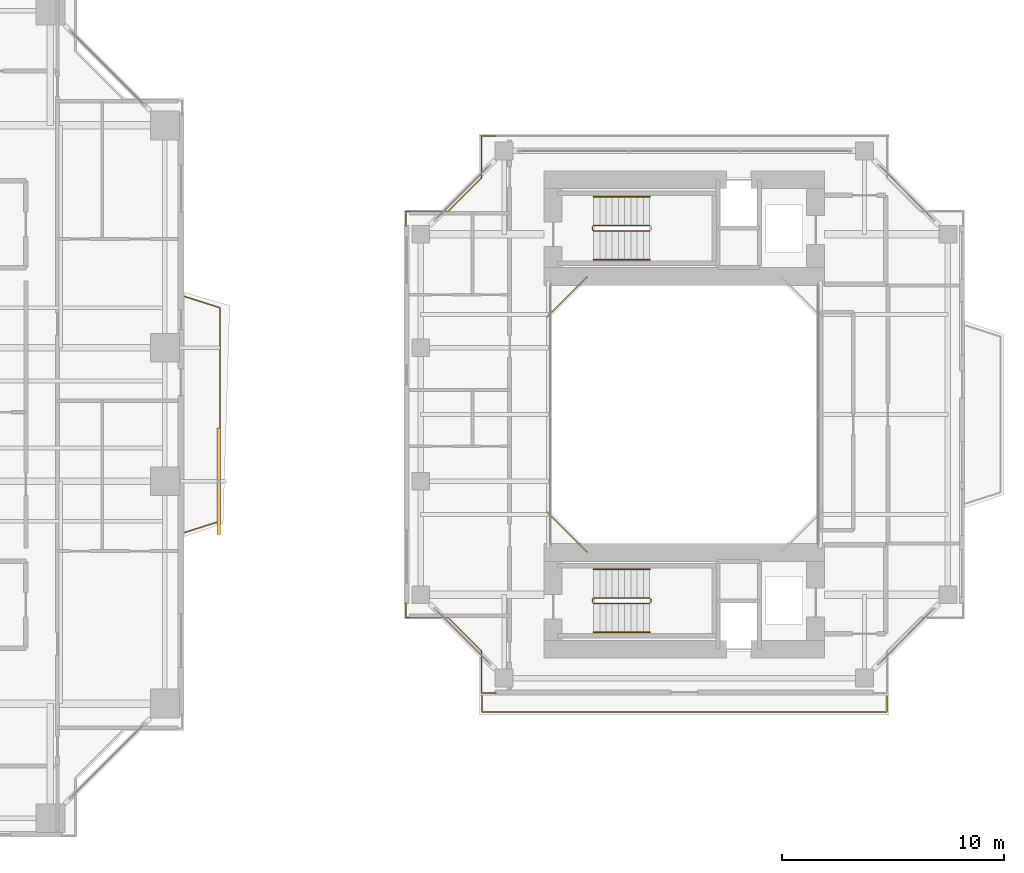
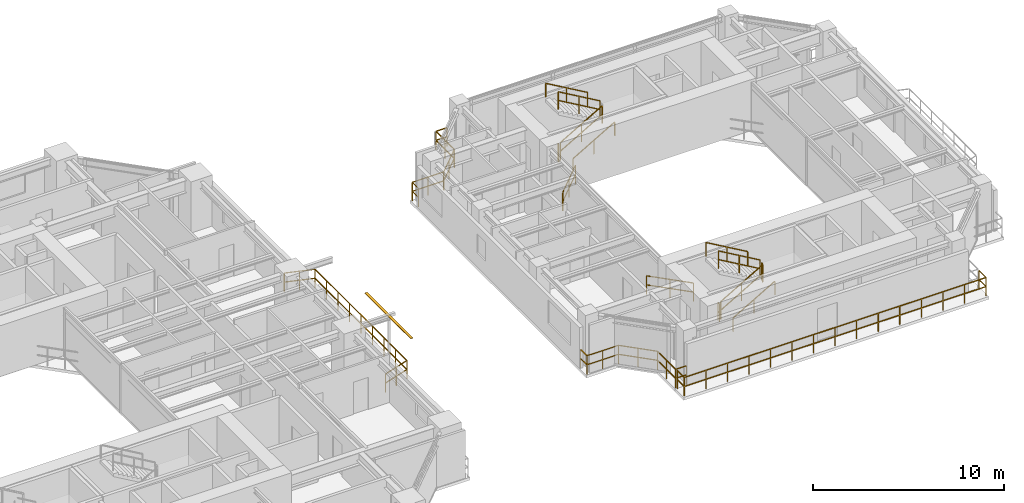
# One storey, part 21 of 24: 17 railings, 1 shading device.
"""IFC4 building model written with IfcOpenShell, lengths in metres."""

from ifc_helpers import new_model, si_unit, direction, frame, origin, origin_2d, place, context, subcontext, project, spatial, rectangle, extrude, source, transform, mapped, material, material_profile, profile_set, type_object, element, save


model = new_model("IFC4")

# Units and contexts
model_context = context("Model", 3, precision=1e-05, world=origin(), true_north=direction((0.0, 1.0)))
body_context = subcontext(model_context, "Body", "Model", "MODEL_VIEW")
ifc_project = project(units=[si_unit("LENGTHUNIT", "METRE"), si_unit("AREAUNIT", "SQUARE_METRE"), si_unit("VOLUMEUNIT", "CUBIC_METRE"), si_unit("PLANEANGLEUNIT", "RADIAN"), si_unit("MASSUNIT", "GRAM", prefix="KILO"), si_unit("THERMODYNAMICTEMPERATUREUNIT", "KELVIN"), si_unit("POWERUNIT", "WATT")], contexts=[model_context])

# Site, building, storey
site_placement = place(None, origin())
site = spatial("IfcSite", under=ifc_project, at=site_placement, CompositionType="ELEMENT")
building_placement = place(site_placement, origin())
building = spatial("IfcBuilding", under=site, at=building_placement, Name="Qiaomeng Ring Towers", CompositionType="ELEMENT")
storey_placement = place(building_placement, frame((0.0, 0.0, 69.75)))
storey = spatial("IfcBuildingStorey", under=building, at=storey_placement, Name="L19", CompositionType="ELEMENT", Elevation=69.75)

# Railings
ifc_material_1 = material(Name="Low-E pale-green laminated safety glass", Category="glass")
railing_type_1 = type_object("IfcRailingType", Name="ARC-RL-BAL1", PredefinedType="BALUSTRADE", material=ifc_material_1)
railing_1_placement = place(storey_placement, frame((38.050048828125, 17.699951171875, 0.0)))
element("IfcRailing", 1, at=railing_1_placement, inside=storey, type_object=railing_type_1, Name="L19 Balustrade ARC-BAL-L19-T1-E", PredefinedType="BALUSTRADE", context=body_context, shape_type="SweptSolid", body=[
    extrude(rectangle(XDim=0.048095703125, YDim=0.048095703125, at=origin_2d()), frame((0.0, 0.0, 1.17578125), z_axis=(0.952849860715, 0.303442157479, 0.0), x_axis=(-0.303442157479, 0.952849860715, 0.0)), (0.0, 0.0, 1.0), 1.647705078125),
    extrude(rectangle(XDim=0.048095703125, YDim=0.048095703125, at=origin_2d()), frame((0.0, 0.0, 0.60009765625), z_axis=(0.952849860715, 0.303442157479, 0.0), x_axis=(-0.303442157479, 0.952849860715, 0.0)), (0.0, 0.0, 1.0), 1.647705078125),
    extrude(rectangle(XDim=0.048095703125, YDim=0.048095703125, at=origin_2d()), frame((1.570068359375, 0.5, 1.17578125), z_axis=(0.0, 1.0, 0.0), x_axis=(-1.0, 0.0, 0.0)), (0.0, 0.0, 1.0), 9.60009765625),
    extrude(rectangle(XDim=0.048095703125, YDim=0.048095703125, at=origin_2d()), frame((1.570068359375, 0.5, 0.60009765625), z_axis=(0.0, 1.0, 0.0), x_axis=(-1.0, 0.0, 0.0)), (0.0, 0.0, 1.0), 9.60009765625),
    extrude(rectangle(XDim=0.048095703125, YDim=0.048095703125, at=origin_2d()), frame((1.570068359375, 10.10009765625, 1.17578125), z_axis=(-0.952849860715, 0.303442157479, 0.0), x_axis=(-0.303442157479, -0.952849860715, 0.0)), (0.0, 0.0, 1.0), 1.647705078125),
    extrude(rectangle(XDim=0.048095703125, YDim=0.048095703125, at=origin_2d()), frame((1.570068359375, 10.10009765625, 0.60009765625), z_axis=(-0.952849860715, 0.303442157479, 0.0), x_axis=(-0.303442157479, -0.952849860715, 0.0)), (0.0, 0.0, 1.0), 1.647705078125),
    extrude(rectangle(XDim=0.0419921875, YDim=0.0419921875, at=origin_2d()), origin(), (0.0, 0.0, 1.0), 1.15185546875),
    extrude(rectangle(XDim=0.0419921875, YDim=0.0419921875, at=origin_2d()), frame((0.78515625, 0.25, 0.0)), (0.0, 0.0, 1.0), 1.15185546875),
    extrude(rectangle(XDim=0.0419921875, YDim=0.0419921875, at=origin_2d()), frame((1.570068359375, 0.5, 0.0)), (0.0, 0.0, 1.0), 1.15185546875),
    extrude(rectangle(XDim=0.0419921875, YDim=0.0419921875, at=origin_2d()), frame((1.570068359375, 1.699951171875, 0.0)), (0.0, 0.0, 1.0), 1.15185546875),
    extrude(rectangle(XDim=0.0419921875, YDim=0.0419921875, at=origin_2d()), frame((1.570068359375, 2.89990234375, 0.0)), (0.0, 0.0, 1.0), 1.15185546875),
    extrude(rectangle(XDim=0.0419921875, YDim=0.0419921875, at=origin_2d()), frame((1.570068359375, 4.10009765625, 0.0)), (0.0, 0.0, 1.0), 1.15185546875),
    extrude(rectangle(XDim=0.0419921875, YDim=0.0419921875, at=origin_2d()), frame((1.570068359375, 5.300048828125, 0.0)), (0.0, 0.0, 1.0), 1.15185546875),
    extrude(rectangle(XDim=0.0419921875, YDim=0.0419921875, at=origin_2d()), frame((1.570068359375, 6.5, 0.0)), (0.0, 0.0, 1.0), 1.15185546875),
    extrude(rectangle(XDim=0.0419921875, YDim=0.0419921875, at=origin_2d()), frame((1.570068359375, 7.7001953125, 0.0)), (0.0, 0.0, 1.0), 1.15185546875),
    extrude(rectangle(XDim=0.0419921875, YDim=0.0419921875, at=origin_2d()), frame((1.570068359375, 8.900146484375, 0.0)), (0.0, 0.0, 1.0), 1.15185546875),
    extrude(rectangle(XDim=0.0419921875, YDim=0.0419921875, at=origin_2d()), frame((1.570068359375, 10.10009765625, 0.0)), (0.0, 0.0, 1.0), 1.15185546875),
    extrude(rectangle(XDim=0.0419921875, YDim=0.0419921875, at=origin_2d()), frame((0.78515625, 10.35009765625, 0.0)), (0.0, 0.0, 1.0), 1.15185546875),
    extrude(rectangle(XDim=0.0419921875, YDim=0.0419921875, at=origin_2d()), frame((0.0, 10.60009765625, 0.0)), (0.0, 0.0, 1.0), 1.15185546875),
])
railing_2_placement = place(storey_placement, frame((56.1201171875, 29.179931640625, 0.0)))
element("IfcRailing", 2, at=railing_2_placement, inside=storey, type_object=railing_type_1, Name="L19 Balustrade ARC-BAL-WELL2-L19-3", PredefinedType="BALUSTRADE", context=body_context, shape_type="SweptSolid", body=[
    extrude(rectangle(XDim=0.048095703125, YDim=0.048095703125, at=origin_2d()), frame((0.0, 0.0, 1.17578125), z_axis=(-0.707106781187, -0.707106781187, 0.0), x_axis=(0.707106781187, -0.707106781187, 0.0)), (0.0, 0.0, 1.0), 2.545654296875),
    extrude(rectangle(XDim=0.048095703125, YDim=0.048095703125, at=origin_2d()), frame((0.0, 0.0, 0.60009765625), z_axis=(-0.707106781187, -0.707106781187, 0.0), x_axis=(0.707106781187, -0.707106781187, 0.0)), (0.0, 0.0, 1.0), 2.545654296875),
    extrude(rectangle(XDim=0.0419921875, YDim=0.0419921875, at=origin_2d()), origin(), (0.0, 0.0, 1.0), 1.15185546875),
    extrude(rectangle(XDim=0.0419921875, YDim=0.0419921875, at=origin_2d()), frame((-0.89990234375, -0.89990234375, 0.0)), (0.0, 0.0, 1.0), 1.15185546875),
    extrude(rectangle(XDim=0.0419921875, YDim=0.0419921875, at=origin_2d()), frame((-1.800048828125, -1.800048828125, 0.0)), (0.0, 0.0, 1.0), 1.15185546875),
])
railing_3_placement = place(storey_placement, frame((54.320068359375, 18.6201171875, 0.0)))
element("IfcRailing", 3, at=railing_3_placement, inside=storey, type_object=railing_type_1, Name="L19 Balustrade ARC-BAL-WELL2-L19-4", PredefinedType="BALUSTRADE", context=body_context, shape_type="SweptSolid", body=[
    extrude(rectangle(XDim=0.048095703125, YDim=0.048095703125, at=origin_2d()), frame((0.0, 0.0, 1.17578125), z_axis=(0.707106781187, -0.707106781187, 0.0), x_axis=(0.707106781187, 0.707106781187, 0.0)), (0.0, 0.0, 1.0), 2.545654296875),
    extrude(rectangle(XDim=0.048095703125, YDim=0.048095703125, at=origin_2d()), frame((0.0, 0.0, 0.60009765625), z_axis=(0.707106781187, -0.707106781187, 0.0), x_axis=(0.707106781187, 0.707106781187, 0.0)), (0.0, 0.0, 1.0), 2.545654296875),
    extrude(rectangle(XDim=0.0419921875, YDim=0.0419921875, at=origin_2d()), origin(), (0.0, 0.0, 1.0), 1.15185546875),
    extrude(rectangle(XDim=0.0419921875, YDim=0.0419921875, at=origin_2d()), frame((0.89990234375, -0.89990234375, 0.0)), (0.0, 0.0, 1.0), 1.15185546875),
    extrude(rectangle(XDim=0.0419921875, YDim=0.0419921875, at=origin_2d()), frame((1.800048828125, -1.800048828125, 0.0)), (0.0, 0.0, 1.0), 1.15185546875),
])
railing_4_placement = place(storey_placement, frame((52.030029296875, 35.52001953125, 0.0)))
element("IfcRailing", 4, at=railing_4_placement, inside=storey, type_object=railing_type_1, Name="L19 Balustrade ARC-BAL-NOTCH2-L19-NW", PredefinedType="BALUSTRADE", context=body_context, shape_type="SweptSolid", body=[
    extrude(rectangle(XDim=0.048095703125, YDim=0.048095703125, at=origin_2d()), frame((0.0, 0.0, 1.17578125), z_axis=(-1.0, 0.0, 0.0), x_axis=(0.0, -1.0, 0.0)), (0.0, 0.0, 1.0), 0.650146484375),
    extrude(rectangle(XDim=0.048095703125, YDim=0.048095703125, at=origin_2d()), frame((0.0, 0.0, 0.60009765625), z_axis=(-1.0, 0.0, 0.0), x_axis=(0.0, -1.0, 0.0)), (0.0, 0.0, 1.0), 0.650146484375),
    extrude(rectangle(XDim=0.048095703125, YDim=0.048095703125, at=origin_2d()), frame((-0.650146484375, 0.0, 1.17578125), z_axis=(0.0, -1.0, 0.0), x_axis=(1.0, 0.0, 0.0)), (0.0, 0.0, 1.0), 1.89990234375),
    extrude(rectangle(XDim=0.048095703125, YDim=0.048095703125, at=origin_2d()), frame((-0.650146484375, 0.0, 0.60009765625), z_axis=(0.0, -1.0, 0.0), x_axis=(1.0, 0.0, 0.0)), (0.0, 0.0, 1.0), 1.89990234375),
    extrude(rectangle(XDim=0.048095703125, YDim=0.048095703125, at=origin_2d()), frame((-0.650146484375, -1.89990234375, 1.17578125), z_axis=(-0.707106781187, -0.707106781187, 0.0), x_axis=(0.707106781187, -0.707106781187, 0.0)), (0.0, 0.0, 1.0), 2.121337890625),
    extrude(rectangle(XDim=0.048095703125, YDim=0.048095703125, at=origin_2d()), frame((-0.650146484375, -1.89990234375, 0.60009765625), z_axis=(-0.707106781187, -0.707106781187, 0.0), x_axis=(0.707106781187, -0.707106781187, 0.0)), (0.0, 0.0, 1.0), 2.121337890625),
    extrude(rectangle(XDim=0.048095703125, YDim=0.048095703125, at=origin_2d()), frame((-2.150146484375, -3.39990234375, 1.17578125), z_axis=(-1.0, 0.0, 0.0), x_axis=(0.0, -1.0, 0.0)), (0.0, 0.0, 1.0), 1.89990234375),
    extrude(rectangle(XDim=0.048095703125, YDim=0.048095703125, at=origin_2d()), frame((-2.150146484375, -3.39990234375, 0.60009765625), z_axis=(-1.0, 0.0, 0.0), x_axis=(0.0, -1.0, 0.0)), (0.0, 0.0, 1.0), 1.89990234375),
    extrude(rectangle(XDim=0.048095703125, YDim=0.048095703125, at=origin_2d()), frame((-4.050048828125, -3.39990234375, 1.17578125), z_axis=(0.0, -1.0, 0.0), x_axis=(1.0, 0.0, 0.0)), (0.0, 0.0, 1.0), 0.650146484375),
    extrude(rectangle(XDim=0.048095703125, YDim=0.048095703125, at=origin_2d()), frame((-4.050048828125, -3.39990234375, 0.60009765625), z_axis=(0.0, -1.0, 0.0), x_axis=(1.0, 0.0, 0.0)), (0.0, 0.0, 1.0), 0.650146484375),
    extrude(rectangle(XDim=0.0419921875, YDim=0.0419921875, at=origin_2d()), origin(), (0.0, 0.0, 1.0), 1.15185546875),
    extrude(rectangle(XDim=0.0419921875, YDim=0.0419921875, at=origin_2d()), frame((-0.650146484375, 0.0, 0.0)), (0.0, 0.0, 1.0), 1.15185546875),
    extrude(rectangle(XDim=0.0419921875, YDim=0.0419921875, at=origin_2d()), frame((-0.650146484375, -0.949951171875, 0.0)), (0.0, 0.0, 1.0), 1.15185546875),
    extrude(rectangle(XDim=0.0419921875, YDim=0.0419921875, at=origin_2d()), frame((-0.650146484375, -1.89990234375, 0.0)), (0.0, 0.0, 1.0), 1.15185546875),
    extrude(rectangle(XDim=0.0419921875, YDim=0.0419921875, at=origin_2d()), frame((-1.400146484375, -2.64990234375, 0.0)), (0.0, 0.0, 1.0), 1.15185546875),
    extrude(rectangle(XDim=0.0419921875, YDim=0.0419921875, at=origin_2d()), frame((-2.150146484375, -3.39990234375, 0.0)), (0.0, 0.0, 1.0), 1.15185546875),
    extrude(rectangle(XDim=0.0419921875, YDim=0.0419921875, at=origin_2d()), frame((-3.10009765625, -3.39990234375, 0.0)), (0.0, 0.0, 1.0), 1.15185546875),
    extrude(rectangle(XDim=0.0419921875, YDim=0.0419921875, at=origin_2d()), frame((-4.050048828125, -3.39990234375, 0.0)), (0.0, 0.0, 1.0), 1.15185546875),
    extrude(rectangle(XDim=0.0419921875, YDim=0.0419921875, at=origin_2d()), frame((-4.050048828125, -4.050048828125, 0.0)), (0.0, 0.0, 1.0), 1.15185546875),
])
railing_5_placement = place(storey_placement, frame((47.97998046875, 14.530029296875, 0.0)))
element("IfcRailing", 5, at=railing_5_placement, inside=storey, type_object=railing_type_1, Name="L19 Balustrade ARC-BAL-NOTCH2-L19-SW", PredefinedType="BALUSTRADE", context=body_context, shape_type="SweptSolid", body=[
    extrude(rectangle(XDim=0.048095703125, YDim=0.048095703125, at=origin_2d()), frame((0.0, 0.0, 1.17578125), z_axis=(0.0, -1.0, 0.0), x_axis=(1.0, 0.0, 0.0)), (0.0, 0.0, 1.0), 0.650146484375),
    extrude(rectangle(XDim=0.048095703125, YDim=0.048095703125, at=origin_2d()), frame((0.0, 0.0, 0.60009765625), z_axis=(0.0, -1.0, 0.0), x_axis=(1.0, 0.0, 0.0)), (0.0, 0.0, 1.0), 0.650146484375),
    extrude(rectangle(XDim=0.048095703125, YDim=0.048095703125, at=origin_2d()), frame((0.0, -0.650146484375, 1.17578125), z_axis=(1.0, 0.0, 0.0), x_axis=(0.0, 1.0, 0.0)), (0.0, 0.0, 1.0), 1.89990234375),
    extrude(rectangle(XDim=0.048095703125, YDim=0.048095703125, at=origin_2d()), frame((0.0, -0.650146484375, 0.60009765625), z_axis=(1.0, 0.0, 0.0), x_axis=(0.0, 1.0, 0.0)), (0.0, 0.0, 1.0), 1.89990234375),
    extrude(rectangle(XDim=0.048095703125, YDim=0.048095703125, at=origin_2d()), frame((1.89990234375, -0.650146484375, 1.17578125), z_axis=(0.707106781187, -0.707106781187, 0.0), x_axis=(0.707106781187, 0.707106781187, 0.0)), (0.0, 0.0, 1.0), 2.121337890625),
    extrude(rectangle(XDim=0.048095703125, YDim=0.048095703125, at=origin_2d()), frame((1.89990234375, -0.650146484375, 0.60009765625), z_axis=(0.707106781187, -0.707106781187, 0.0), x_axis=(0.707106781187, 0.707106781187, 0.0)), (0.0, 0.0, 1.0), 2.121337890625),
    extrude(rectangle(XDim=0.048095703125, YDim=0.048095703125, at=origin_2d()), frame((3.39990234375, -2.150146484375, 1.17578125), z_axis=(0.0, -1.0, 0.0), x_axis=(1.0, 0.0, 0.0)), (0.0, 0.0, 1.0), 1.89990234375),
    extrude(rectangle(XDim=0.048095703125, YDim=0.048095703125, at=origin_2d()), frame((3.39990234375, -2.150146484375, 0.60009765625), z_axis=(0.0, -1.0, 0.0), x_axis=(1.0, 0.0, 0.0)), (0.0, 0.0, 1.0), 1.89990234375),
    extrude(rectangle(XDim=0.048095703125, YDim=0.048095703125, at=origin_2d()), frame((3.39990234375, -4.050048828125, 1.17578125), z_axis=(1.0, 0.0, 0.0), x_axis=(0.0, 1.0, 0.0)), (0.0, 0.0, 1.0), 0.650146484375),
    extrude(rectangle(XDim=0.048095703125, YDim=0.048095703125, at=origin_2d()), frame((3.39990234375, -4.050048828125, 0.60009765625), z_axis=(1.0, 0.0, 0.0), x_axis=(0.0, 1.0, 0.0)), (0.0, 0.0, 1.0), 0.650146484375),
    extrude(rectangle(XDim=0.0419921875, YDim=0.0419921875, at=origin_2d()), origin(), (0.0, 0.0, 1.0), 1.15185546875),
    extrude(rectangle(XDim=0.0419921875, YDim=0.0419921875, at=origin_2d()), frame((0.0, -0.650146484375, 0.0)), (0.0, 0.0, 1.0), 1.15185546875),
    extrude(rectangle(XDim=0.0419921875, YDim=0.0419921875, at=origin_2d()), frame((0.949951171875, -0.650146484375, 0.0)), (0.0, 0.0, 1.0), 1.15185546875),
    extrude(rectangle(XDim=0.0419921875, YDim=0.0419921875, at=origin_2d()), frame((1.89990234375, -0.650146484375, 0.0)), (0.0, 0.0, 1.0), 1.15185546875),
    extrude(rectangle(XDim=0.0419921875, YDim=0.0419921875, at=origin_2d()), frame((2.64990234375, -1.400146484375, 0.0)), (0.0, 0.0, 1.0), 1.15185546875),
    extrude(rectangle(XDim=0.0419921875, YDim=0.0419921875, at=origin_2d()), frame((3.39990234375, -2.150146484375, 0.0)), (0.0, 0.0, 1.0), 1.15185546875),
    extrude(rectangle(XDim=0.0419921875, YDim=0.0419921875, at=origin_2d()), frame((3.39990234375, -3.10009765625, 0.0)), (0.0, 0.0, 1.0), 1.15185546875),
    extrude(rectangle(XDim=0.0419921875, YDim=0.0419921875, at=origin_2d()), frame((3.39990234375, -4.050048828125, 0.0)), (0.0, 0.0, 1.0), 1.15185546875),
    extrude(rectangle(XDim=0.0419921875, YDim=0.0419921875, at=origin_2d()), frame((4.050048828125, -4.050048828125, 0.0)), (0.0, 0.0, 1.0), 1.15185546875),
])
railing_6_placement = place(storey_placement, frame((51.39990234375, 10.35009765625, 0.0)))
element("IfcRailing", 6, at=railing_6_placement, inside=storey, type_object=railing_type_1, Name="L19 Balustrade ARC-BAL-L19-T2-SB", PredefinedType="BALUSTRADE", context=body_context, shape_type="SweptSolid", body=[
    extrude(rectangle(XDim=0.048095703125, YDim=0.048095703125, at=origin_2d()), frame((0.0, 0.0, 1.17578125), z_axis=(0.0, -1.0, 0.0), x_axis=(1.0, 0.0, 0.0)), (0.0, 0.0, 1.0), 0.72998046875),
    extrude(rectangle(XDim=0.048095703125, YDim=0.048095703125, at=origin_2d()), frame((0.0, 0.0, 0.60009765625), z_axis=(0.0, -1.0, 0.0), x_axis=(1.0, 0.0, 0.0)), (0.0, 0.0, 1.0), 0.72998046875),
    extrude(rectangle(XDim=0.048095703125, YDim=0.048095703125, at=origin_2d()), frame((0.0, -0.72998046875, 1.17578125), z_axis=(1.0, 0.0, 0.0), x_axis=(0.0, 1.0, 0.0)), (0.0, 0.0, 1.0), 18.2001953125),
    extrude(rectangle(XDim=0.048095703125, YDim=0.048095703125, at=origin_2d()), frame((0.0, -0.72998046875, 0.60009765625), z_axis=(1.0, 0.0, 0.0), x_axis=(0.0, 1.0, 0.0)), (0.0, 0.0, 1.0), 18.2001953125),
    extrude(rectangle(XDim=0.048095703125, YDim=0.048095703125, at=origin_2d()), frame((18.2001953125, -0.72998046875, 1.17578125), z_axis=(0.0, 1.0, 0.0), x_axis=(-1.0, 0.0, 0.0)), (0.0, 0.0, 1.0), 0.72998046875),
    extrude(rectangle(XDim=0.048095703125, YDim=0.048095703125, at=origin_2d()), frame((18.2001953125, -0.72998046875, 0.60009765625), z_axis=(0.0, 1.0, 0.0), x_axis=(-1.0, 0.0, 0.0)), (0.0, 0.0, 1.0), 0.72998046875),
    extrude(rectangle(XDim=0.0419921875, YDim=0.0419921875, at=origin_2d()), origin(), (0.0, 0.0, 1.0), 1.15185546875),
    extrude(rectangle(XDim=0.0419921875, YDim=0.0419921875, at=origin_2d()), frame((0.0, -0.72998046875, 0.0)), (0.0, 0.0, 1.0), 1.15185546875),
    extrude(rectangle(XDim=0.0419921875, YDim=0.0419921875, at=origin_2d()), frame((1.300048828125, -0.72998046875, 0.0)), (0.0, 0.0, 1.0), 1.15185546875),
    extrude(rectangle(XDim=0.0419921875, YDim=0.0419921875, at=origin_2d()), frame((2.60009765625, -0.72998046875, 0.0)), (0.0, 0.0, 1.0), 1.15185546875),
    extrude(rectangle(XDim=0.0419921875, YDim=0.0419921875, at=origin_2d()), frame((3.900146484375, -0.72998046875, 0.0)), (0.0, 0.0, 1.0), 1.15185546875),
    extrude(rectangle(XDim=0.0419921875, YDim=0.0419921875, at=origin_2d()), frame((5.199951171875, -0.72998046875, 0.0)), (0.0, 0.0, 1.0), 1.15185546875),
    extrude(rectangle(XDim=0.0419921875, YDim=0.0419921875, at=origin_2d()), frame((6.5, -0.72998046875, 0.0)), (0.0, 0.0, 1.0), 1.15185546875),
    extrude(rectangle(XDim=0.0419921875, YDim=0.0419921875, at=origin_2d()), frame((7.800048828125, -0.72998046875, 0.0)), (0.0, 0.0, 1.0), 1.15185546875),
    extrude(rectangle(XDim=0.0419921875, YDim=0.0419921875, at=origin_2d()), frame((9.10009765625, -0.72998046875, 0.0)), (0.0, 0.0, 1.0), 1.15185546875),
    extrude(rectangle(XDim=0.0419921875, YDim=0.0419921875, at=origin_2d()), frame((10.400146484375, -0.72998046875, 0.0)), (0.0, 0.0, 1.0), 1.15185546875),
    extrude(rectangle(XDim=0.0419921875, YDim=0.0419921875, at=origin_2d()), frame((11.7001953125, -0.72998046875, 0.0)), (0.0, 0.0, 1.0), 1.15185546875),
    extrude(rectangle(XDim=0.0419921875, YDim=0.0419921875, at=origin_2d()), frame((13.000244140625, -0.72998046875, 0.0)), (0.0, 0.0, 1.0), 1.15185546875),
    extrude(rectangle(XDim=0.0419921875, YDim=0.0419921875, at=origin_2d()), frame((14.300048828125, -0.72998046875, 0.0)), (0.0, 0.0, 1.0), 1.15185546875),
    extrude(rectangle(XDim=0.0419921875, YDim=0.0419921875, at=origin_2d()), frame((15.60009765625, -0.72998046875, 0.0)), (0.0, 0.0, 1.0), 1.15185546875),
    extrude(rectangle(XDim=0.0419921875, YDim=0.0419921875, at=origin_2d()), frame((16.900146484375, -0.72998046875, 0.0)), (0.0, 0.0, 1.0), 1.15185546875),
    extrude(rectangle(XDim=0.0419921875, YDim=0.0419921875, at=origin_2d()), frame((18.2001953125, -0.72998046875, 0.0)), (0.0, 0.0, 1.0), 1.15185546875),
    extrude(rectangle(XDim=0.0419921875, YDim=0.0419921875, at=origin_2d()), frame((18.2001953125, 0.0, 0.0)), (0.0, 0.0, 1.0), 1.15185546875),
])
ifc_material_2 = material(Name="Galvanised steel", Category="steel")
railing_type_2 = type_object("IfcRailingType", Name="ARC-RL-GUARD", PredefinedType="GUARDRAIL", material=ifc_material_2)
railing_7_placement = place(storey_placement, frame((56.419921875, 31.25, 0.16259765625)))
element("IfcRailing", 7, at=railing_7_placement, inside=storey, type_object=railing_type_2, Name="L19 ST5 stair guard 1", PredefinedType="GUARDRAIL", context=body_context, shape_type="SweptSolid", body=[
    extrude(rectangle(XDim=0.048095703125, YDim=0.048095703125, at=origin_2d()), frame((0.0, 0.0, 1.1259765625), z_axis=(0.864913338283, 0.0, 0.50192122615), x_axis=(0.0, 1.0, 0.0)), (0.0, 0.0, 1.0), 2.91357421875),
    extrude(rectangle(XDim=0.048095703125, YDim=0.048095703125, at=origin_2d()), frame((0.0, 0.0, 0.574951171875), z_axis=(0.864913338283, 0.0, 0.50192122615), x_axis=(0.0, 1.0, 0.0)), (0.0, 0.0, 1.0), 2.91357421875),
    extrude(rectangle(XDim=0.0419921875, YDim=0.0419921875, at=origin_2d()), origin(), (0.0, 0.0, 1.0), 1.101806640625),
    extrude(rectangle(XDim=0.0419921875, YDim=0.0419921875, at=origin_2d()), frame((1.260009765625, 0.0, 0.731201171875)), (0.0, 0.0, 1.0), 1.101806640625),
    extrude(rectangle(XDim=0.0419921875, YDim=0.0419921875, at=origin_2d()), frame((2.52001953125, 0.0, 1.46240234375)), (0.0, 0.0, 1.0), 1.101806640625),
])
railing_8_placement = place(storey_placement, frame((58.93994140625, 31.489990234375, 1.78759765625)))
element("IfcRailing", 8, at=railing_8_placement, inside=storey, type_object=railing_type_2, Name="L19 ST5 stair guard 3", PredefinedType="GUARDRAIL", context=body_context, shape_type="SweptSolid", body=[
    extrude(rectangle(XDim=0.048095703125, YDim=0.048095703125, at=origin_2d()), frame((0.0, 0.0, 1.1259765625), z_axis=(-0.864913338283, 0.0, 0.50192122615), x_axis=(0.0, -1.0, 0.0)), (0.0, 0.0, 1.0), 2.91357421875),
    extrude(rectangle(XDim=0.048095703125, YDim=0.048095703125, at=origin_2d()), frame((0.0, 0.0, 0.574951171875), z_axis=(-0.864913338283, 0.0, 0.50192122615), x_axis=(0.0, -1.0, 0.0)), (0.0, 0.0, 1.0), 2.91357421875),
    extrude(rectangle(XDim=0.0419921875, YDim=0.0419921875, at=origin_2d()), origin(), (0.0, 0.0, 1.0), 1.101806640625),
    extrude(rectangle(XDim=0.0419921875, YDim=0.0419921875, at=origin_2d()), frame((-1.260009765625, 0.0, 0.731201171875)), (0.0, 0.0, 1.0), 1.101806640625),
    extrude(rectangle(XDim=0.0419921875, YDim=0.0419921875, at=origin_2d()), frame((-2.52001953125, 0.0, 1.46240234375)), (0.0, 0.0, 1.0), 1.101806640625),
])
railing_9_placement = place(storey_placement, frame((56.3701171875, 31.300048828125, 0.0)))
element("IfcRailing", 9, at=railing_9_placement, inside=storey, type_object=railing_type_2, Name="L19 ST5 stair guard 4", PredefinedType="GUARDRAIL", context=body_context, shape_type="SweptSolid", body=[
    extrude(rectangle(XDim=0.048095703125, YDim=0.048095703125, at=origin_2d()), frame((0.0, 0.0, 1.1259765625), z_axis=(0.0, 1.0, 0.0), x_axis=(-1.0, 0.0, 0.0)), (0.0, 0.0, 1.0), 0.139892578125),
    extrude(rectangle(XDim=0.048095703125, YDim=0.048095703125, at=origin_2d()), frame((0.0, 0.0, 0.574951171875), z_axis=(0.0, 1.0, 0.0), x_axis=(-1.0, 0.0, 0.0)), (0.0, 0.0, 1.0), 0.139892578125),
    extrude(rectangle(XDim=0.0419921875, YDim=0.0419921875, at=origin_2d()), origin(), (0.0, 0.0, 1.0), 1.101806640625),
    extrude(rectangle(XDim=0.0419921875, YDim=0.0419921875, at=origin_2d()), frame((0.0, 0.139892578125, 0.0)), (0.0, 0.0, 1.0), 1.101806640625),
])
railing_10_placement = place(storey_placement, frame((56.419921875, 14.510009765625, 0.16259765625)))
element("IfcRailing", 10, at=railing_10_placement, inside=storey, type_object=railing_type_2, Name="L19 ST6 stair guard 1", PredefinedType="GUARDRAIL", context=body_context, shape_type="SweptSolid", body=[
    extrude(rectangle(XDim=0.048095703125, YDim=0.048095703125, at=origin_2d()), frame((0.0, 0.0, 1.1259765625), z_axis=(0.864913338283, 0.0, 0.50192122615), x_axis=(0.0, 1.0, 0.0)), (0.0, 0.0, 1.0), 2.91357421875),
    extrude(rectangle(XDim=0.048095703125, YDim=0.048095703125, at=origin_2d()), frame((0.0, 0.0, 0.574951171875), z_axis=(0.864913338283, 0.0, 0.50192122615), x_axis=(0.0, 1.0, 0.0)), (0.0, 0.0, 1.0), 2.91357421875),
    extrude(rectangle(XDim=0.0419921875, YDim=0.0419921875, at=origin_2d()), origin(), (0.0, 0.0, 1.0), 1.101806640625),
    extrude(rectangle(XDim=0.0419921875, YDim=0.0419921875, at=origin_2d()), frame((1.260009765625, 0.0, 0.731201171875)), (0.0, 0.0, 1.0), 1.101806640625),
    extrude(rectangle(XDim=0.0419921875, YDim=0.0419921875, at=origin_2d()), frame((2.52001953125, 0.0, 1.46240234375)), (0.0, 0.0, 1.0), 1.101806640625),
])
railing_11_placement = place(storey_placement, frame((58.989990234375, 14.56005859375, 1.625)))
element("IfcRailing", 11, at=railing_11_placement, inside=storey, type_object=railing_type_2, Name="L19 ST6 stair guard 2", PredefinedType="GUARDRAIL", context=body_context, shape_type="SweptSolid", body=[
    extrude(rectangle(XDim=0.048095703125, YDim=0.048095703125, at=origin_2d()), frame((0.0, 0.0, 1.1259765625), z_axis=(0.0, 1.0, 0.0), x_axis=(-1.0, 0.0, 0.0)), (0.0, 0.0, 1.0), 0.139892578125),
    extrude(rectangle(XDim=0.048095703125, YDim=0.048095703125, at=origin_2d()), frame((0.0, 0.0, 0.574951171875), z_axis=(0.0, 1.0, 0.0), x_axis=(-1.0, 0.0, 0.0)), (0.0, 0.0, 1.0), 0.139892578125),
    extrude(rectangle(XDim=0.0419921875, YDim=0.0419921875, at=origin_2d()), origin(), (0.0, 0.0, 1.0), 1.101806640625),
    extrude(rectangle(XDim=0.0419921875, YDim=0.0419921875, at=origin_2d()), frame((0.0, 0.139892578125, 0.0)), (0.0, 0.0, 1.0), 1.101806640625),
])
railing_12_placement = place(storey_placement, frame((58.93994140625, 14.75, 1.78759765625)))
element("IfcRailing", 12, at=railing_12_placement, inside=storey, type_object=railing_type_2, Name="L19 ST6 stair guard 3", PredefinedType="GUARDRAIL", context=body_context, shape_type="SweptSolid", body=[
    extrude(rectangle(XDim=0.048095703125, YDim=0.048095703125, at=origin_2d()), frame((0.0, 0.0, 1.1259765625), z_axis=(-0.864913338283, 0.0, 0.50192122615), x_axis=(0.0, -1.0, 0.0)), (0.0, 0.0, 1.0), 2.91357421875),
    extrude(rectangle(XDim=0.048095703125, YDim=0.048095703125, at=origin_2d()), frame((0.0, 0.0, 0.574951171875), z_axis=(-0.864913338283, 0.0, 0.50192122615), x_axis=(0.0, -1.0, 0.0)), (0.0, 0.0, 1.0), 2.91357421875),
    extrude(rectangle(XDim=0.0419921875, YDim=0.0419921875, at=origin_2d()), origin(), (0.0, 0.0, 1.0), 1.101806640625),
    extrude(rectangle(XDim=0.0419921875, YDim=0.0419921875, at=origin_2d()), frame((-1.260009765625, 0.0, 0.731201171875)), (0.0, 0.0, 1.0), 1.101806640625),
    extrude(rectangle(XDim=0.0419921875, YDim=0.0419921875, at=origin_2d()), frame((-2.52001953125, 0.0, 1.46240234375)), (0.0, 0.0, 1.0), 1.101806640625),
])
railing_13_placement = place(storey_placement, frame((56.3701171875, 14.56005859375, 0.0)))
element("IfcRailing", 13, at=railing_13_placement, inside=storey, type_object=railing_type_2, Name="L19 ST6 stair guard 4", PredefinedType="GUARDRAIL", context=body_context, shape_type="SweptSolid", body=[
    extrude(rectangle(XDim=0.048095703125, YDim=0.048095703125, at=origin_2d()), frame((0.0, 0.0, 1.1259765625), z_axis=(0.0, 1.0, 0.0), x_axis=(-1.0, 0.0, 0.0)), (0.0, 0.0, 1.0), 0.139892578125),
    extrude(rectangle(XDim=0.048095703125, YDim=0.048095703125, at=origin_2d()), frame((0.0, 0.0, 0.574951171875), z_axis=(0.0, 1.0, 0.0), x_axis=(-1.0, 0.0, 0.0)), (0.0, 0.0, 1.0), 0.139892578125),
    extrude(rectangle(XDim=0.0419921875, YDim=0.0419921875, at=origin_2d()), origin(), (0.0, 0.0, 1.0), 1.101806640625),
    extrude(rectangle(XDim=0.0419921875, YDim=0.0419921875, at=origin_2d()), frame((0.0, 0.139892578125, 0.0)), (0.0, 0.0, 1.0), 1.101806640625),
])
ifc_material_3 = material(Name="Stainless steel 316", Category="steel")
railing_type_3 = type_object("IfcRailingType", Name="ARC-RL-HAND", PredefinedType="HANDRAIL", material=ifc_material_3)
railing_14_placement = place(storey_placement, frame((56.419921875, 29.949951171875, 0.16259765625)))
element("IfcRailing", 14, at=railing_14_placement, inside=storey, type_object=railing_type_3, Name="L19 ST5 stair handrail 1", PredefinedType="HANDRAIL", context=body_context, shape_type="SweptSolid", body=[
    extrude(rectangle(XDim=0.048095703125, YDim=0.048095703125, at=origin_2d()), frame((0.0, 0.0, 0.8759765625), z_axis=(0.864913338283, 0.0, 0.50192122615), x_axis=(0.0, 1.0, 0.0)), (0.0, 0.0, 1.0), 2.91357421875),
    extrude(rectangle(XDim=0.0419921875, YDim=0.0419921875, at=origin_2d()), origin(), (0.0, 0.0, 1.0), 0.851806640625),
    extrude(rectangle(XDim=0.0419921875, YDim=0.0419921875, at=origin_2d()), frame((1.260009765625, 0.0, 0.731201171875)), (0.0, 0.0, 1.0), 0.851806640625),
    extrude(rectangle(XDim=0.0419921875, YDim=0.0419921875, at=origin_2d()), frame((2.52001953125, 0.0, 1.46240234375)), (0.0, 0.0, 1.0), 0.851806640625),
])
railing_15_placement = place(storey_placement, frame((58.93994140625, 32.7900390625, 1.78759765625)))
element("IfcRailing", 15, at=railing_15_placement, inside=storey, type_object=railing_type_3, Name="L19 ST5 stair handrail 2", PredefinedType="HANDRAIL", context=body_context, shape_type="SweptSolid", body=[
    extrude(rectangle(XDim=0.048095703125, YDim=0.048095703125, at=origin_2d()), frame((0.0, 0.0, 0.8759765625), z_axis=(-0.864913338283, 0.0, 0.50192122615), x_axis=(0.0, -1.0, 0.0)), (0.0, 0.0, 1.0), 2.91357421875),
    extrude(rectangle(XDim=0.0419921875, YDim=0.0419921875, at=origin_2d()), origin(), (0.0, 0.0, 1.0), 0.851806640625),
    extrude(rectangle(XDim=0.0419921875, YDim=0.0419921875, at=origin_2d()), frame((-1.260009765625, 0.0, 0.731201171875)), (0.0, 0.0, 1.0), 0.851806640625),
    extrude(rectangle(XDim=0.0419921875, YDim=0.0419921875, at=origin_2d()), frame((-2.52001953125, 0.0, 1.46240234375)), (0.0, 0.0, 1.0), 0.851806640625),
])
railing_16_placement = place(storey_placement, frame((56.419921875, 13.2099609375, 0.16259765625)))
element("IfcRailing", 16, at=railing_16_placement, inside=storey, type_object=railing_type_3, Name="L19 ST6 stair handrail 1", PredefinedType="HANDRAIL", context=body_context, shape_type="SweptSolid", body=[
    extrude(rectangle(XDim=0.048095703125, YDim=0.048095703125, at=origin_2d()), frame((0.0, 0.0, 0.8759765625), z_axis=(0.864913338283, 0.0, 0.50192122615), x_axis=(0.0, 1.0, 0.0)), (0.0, 0.0, 1.0), 2.91357421875),
    extrude(rectangle(XDim=0.0419921875, YDim=0.0419921875, at=origin_2d()), origin(), (0.0, 0.0, 1.0), 0.851806640625),
    extrude(rectangle(XDim=0.0419921875, YDim=0.0419921875, at=origin_2d()), frame((1.260009765625, 0.0, 0.731201171875)), (0.0, 0.0, 1.0), 0.851806640625),
    extrude(rectangle(XDim=0.0419921875, YDim=0.0419921875, at=origin_2d()), frame((2.52001953125, 0.0, 1.46240234375)), (0.0, 0.0, 1.0), 0.851806640625),
])
railing_17_placement = place(storey_placement, frame((58.93994140625, 16.050048828125, 1.78759765625)))
element("IfcRailing", 17, at=railing_17_placement, inside=storey, type_object=railing_type_3, Name="L19 ST6 stair handrail 2", PredefinedType="HANDRAIL", context=body_context, shape_type="SweptSolid", body=[
    extrude(rectangle(XDim=0.048095703125, YDim=0.048095703125, at=origin_2d()), frame((0.0, 0.0, 0.8759765625), z_axis=(-0.864913338283, 0.0, 0.50192122615), x_axis=(0.0, -1.0, 0.0)), (0.0, 0.0, 1.0), 2.91357421875),
    extrude(rectangle(XDim=0.0419921875, YDim=0.0419921875, at=origin_2d()), origin(), (0.0, 0.0, 1.0), 0.851806640625),
    extrude(rectangle(XDim=0.0419921875, YDim=0.0419921875, at=origin_2d()), frame((-1.260009765625, 0.0, 0.731201171875)), (0.0, 0.0, 1.0), 0.851806640625),
    extrude(rectangle(XDim=0.0419921875, YDim=0.0419921875, at=origin_2d()), frame((-2.52001953125, 0.0, 1.46240234375)), (0.0, 0.0, 1.0), 0.851806640625),
])

# Shading device
ifc_material_4 = material(Name="Fluorocarbon dark-grey aluminium", Category="aluminium")
ifc_material_profile = material_profile(ifc_material_4, rectangle(XDim=0.14990234375, YDim=0.034912109375, at=origin_2d()), Name="LV BLADE 150x35")
ifc_profile_set = profile_set([ifc_material_profile], Name="Fluorocarbon dark-grey aluminium")
shading_device_type = type_object("IfcShadingDeviceType", Name="ARC-SHD-SUN", PredefinedType="AWNING", material=ifc_profile_set)
shared_shape = source(origin(), body_context, "Body", "SweptSolid", [
    extrude(rectangle(XDim=0.14990234375, YDim=0.034912109375, at=origin_2d()), origin(), (0.0, 0.0, 1.0), 4.7998046875),
])
shading_device_placement = place(storey_placement, frame((39.570068359375, 17.60009765625, 2.969970703125), z_axis=(0.0, 1.0, 0.0), x_axis=(-1.0, 0.0, 0.0)))
element("IfcShadingDevice", 18, at=shading_device_placement, inside=storey, type_object=shading_device_type, Name="L19 Ventilated Outer-Skin Sunshade E", PredefinedType="AWNING", context=body_context, shape_type="MappedRepresentation", body=[
    mapped(shared_shape, transform((0.0, 0.0, 0.0), x_axis=(1.0, 0.0, 0.0), y_axis=(0.0, 1.0, 0.0), z_axis=(0.0, 0.0, 1.0), scale=1.0)),
])

save(model, "model.ifc")
